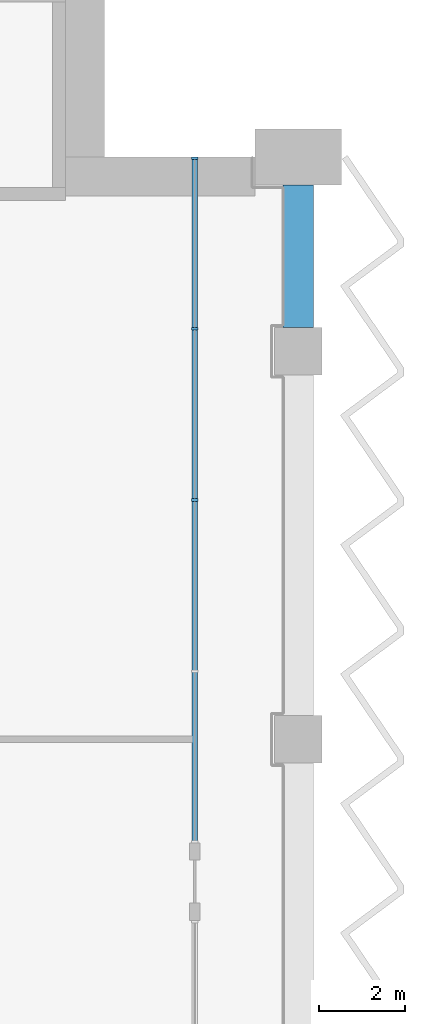
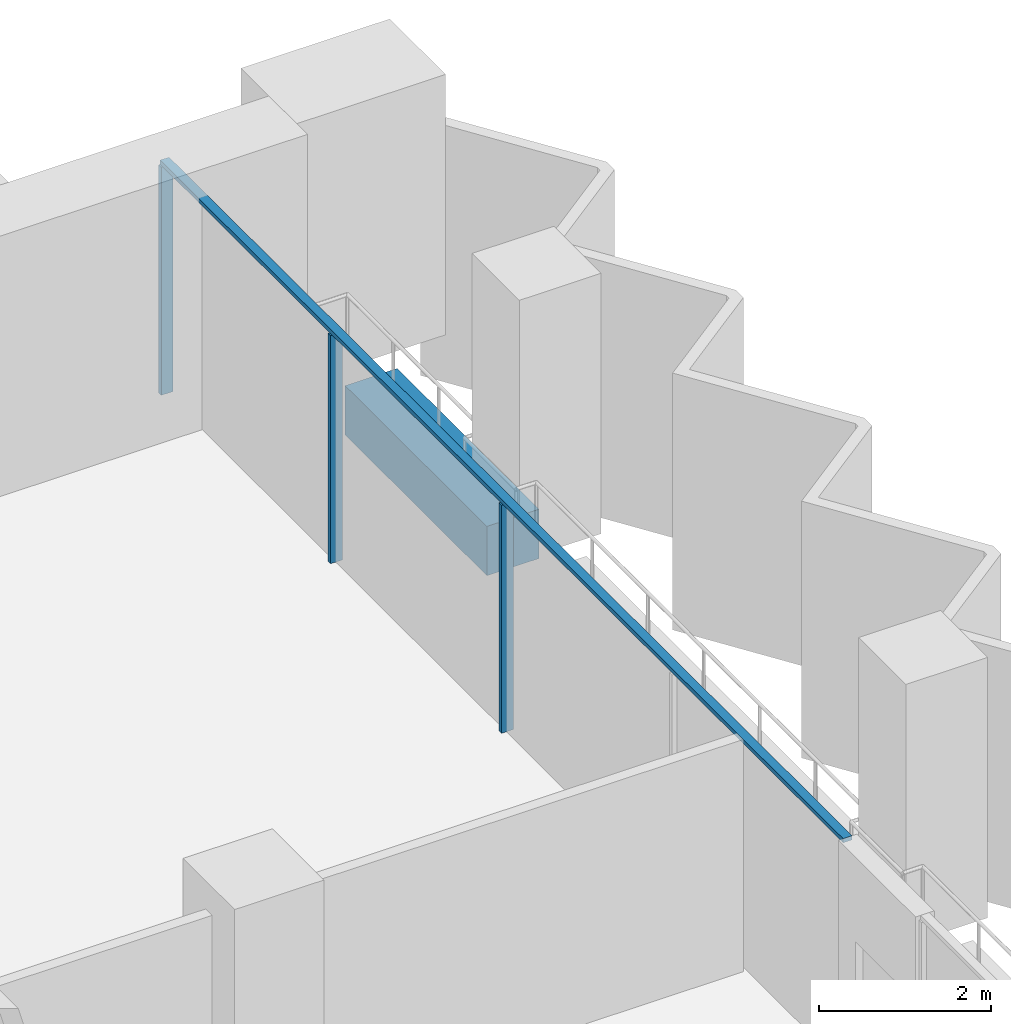
# One storey, part 7 of 23: 4 members, 1 beam, 1 element without a shape of its own.
"""IFC4 building model written with IfcOpenShell, lengths in metres."""

from ifc_helpers import new_model, si_unit, direction, frame, origin, origin_2d, place, context, subcontext, project, spatial, rectangle, extrude, material, material_profile, profile_set, type_object, element, aggregate, save


model = new_model("IFC4")

# Units and contexts
model_context = context("Model", 3, precision=1e-05, world=origin(), true_north=direction((0.0, 1.0)))
body_context = subcontext(model_context, "Body", "Model", "MODEL_VIEW")
ifc_project = project(units=[si_unit("LENGTHUNIT", "METRE"), si_unit("AREAUNIT", "SQUARE_METRE"), si_unit("VOLUMEUNIT", "CUBIC_METRE"), si_unit("PLANEANGLEUNIT", "RADIAN"), si_unit("MASSUNIT", "GRAM", prefix="KILO")], contexts=[model_context])

# Site, building, storey
site_placement = place(None, origin())
site = spatial("IfcSite", under=ifc_project, at=site_placement, CompositionType="ELEMENT")
building_placement = place(site_placement, origin())
building = spatial("IfcBuilding", under=site, at=building_placement, Name="Hunhe Ridgeline Campus", CompositionType="ELEMENT")
storey_placement = place(building_placement, frame((0.0, 0.0, 167.10009765625)))
storey = spatial("IfcBuildingStorey", under=building, at=storey_placement, Name="L42", CompositionType="ELEMENT", Elevation=167.10009765625)

# Curtain wall, members
ifc_material_1 = material(Name="Aluminium 6063", Category="aluminium")
curtain_wall_type = type_object("IfcCurtainWallType", Name="Curtain wall CW-1", PredefinedType="NOTDEFINED", material=ifc_material_1)
curtain_wall_placement = place(storey_placement, origin())
curtain_wall = element("IfcCurtainWall", 1, at=curtain_wall_placement, inside=storey, type_object=curtain_wall_type, Name="Curtain wall 15", PredefinedType="NOTDEFINED")
ifc_material_profile_1 = material_profile(ifc_material_1, rectangle(XDim=0.159912109375, YDim=0.06005859375, at=origin_2d()))
ifc_profile_set_1 = profile_set([ifc_material_profile_1], Name="Aluminium 6063")
member_type_1 = type_object("IfcMemberType", Name="CW-1 aluminium mullion", PredefinedType="MULLION", material=ifc_profile_set_1)
member_1_placement = place(storey_placement, frame((60.59912109375, 86.55029296875, 0.0), z_axis=(0.0, 0.0, 1.0), x_axis=(-1.0, 0.0, 0.0)))
member_1 = element("IfcMember", 2, at=member_1_placement, type_object=member_type_1, Name="CW-1 mullion 3", PredefinedType="MULLION", context=body_context, shape_type="SweptSolid", body=[
    extrude(rectangle(XDim=0.159912109375, YDim=0.06005859375, at=origin_2d()), origin(), (0.0, 0.0, 1.0), 3.239990234375),
])
member_2_placement = place(storey_placement, frame((60.59912109375, 90.525146484375, 0.0), z_axis=(0.0, 0.0, 1.0), x_axis=(-1.0, 0.0, 0.0)))
member_2 = element("IfcMember", 3, at=member_2_placement, type_object=member_type_1, Name="CW-1 mullion 4", PredefinedType="MULLION", context=body_context, shape_type="SweptSolid", body=[
    extrude(rectangle(XDim=0.159912109375, YDim=0.06005859375, at=origin_2d()), origin(), (0.0, 0.0, 1.0), 3.239990234375),
])
member_3_placement = place(storey_placement, frame((60.59912109375, 94.469970703125, 0.0), z_axis=(0.0, 0.0, 1.0), x_axis=(-1.0, 0.0, 0.0)))
member_3 = element("IfcMember", 4, at=member_3_placement, type_object=member_type_1, Name="CW-1 mullion 5", PredefinedType="MULLION", context=body_context, shape_type="SweptSolid", body=[
    extrude(rectangle(XDim=0.159912109375, YDim=0.06005859375, at=origin_2d()), origin(), (0.0, 0.0, 1.0), 3.239990234375),
])
ifc_material_profile_2 = material_profile(ifc_material_1, rectangle(XDim=0.1201171875, YDim=0.06005859375, at=origin_2d()))
ifc_profile_set_2 = profile_set([ifc_material_profile_2], Name="Aluminium 6063")
member_type_2 = type_object("IfcMemberType", Name="CW-1 aluminium transom", PredefinedType="USERDEFINED", material=ifc_profile_set_2)
member_4_placement = place(storey_placement, frame((60.59912109375, 78.6005859375, 3.27001953125), z_axis=(0.0, 1.0, 0.0), x_axis=(-1.0, 0.0, 0.0)))
member_4 = element("IfcMember", 5, at=member_4_placement, type_object=member_type_2, Name="CW-1 transom 1", ObjectType="TRANSOM", PredefinedType="USERDEFINED", context=body_context, shape_type="SweptSolid", body=[
    extrude(rectangle(XDim=0.1201171875, YDim=0.06005859375, at=origin_2d()), origin(), (0.0, 0.0, 1.0), 15.8994140625),
])
aggregate(curtain_wall, [member_4, member_1, member_2, member_3])

# Beam
ifc_material_2 = material(Name="Concrete C60", Category="concrete")
ifc_material_profile_3 = material_profile(ifc_material_2, rectangle(XDim=0.699951171875, YDim=0.699951171875, at=origin_2d()))
ifc_profile_set_3 = profile_set([ifc_material_profile_3], Name="Concrete C60")
beam_type = type_object("IfcBeamType", Name="RC spandrel beam 700x700 Concrete C60", PredefinedType="SPANDREL", material=ifc_profile_set_3)
beam_placement = place(storey_placement, frame((63.0, 90.550048828125, -0.60009765625), z_axis=(0.0, 1.0, 0.0), x_axis=(-1.0, 0.0, 0.0)))
element("IfcBeam", 6, at=beam_placement, inside=storey, type_object=beam_type, Name="Spandrel beam B2-20 L42", PredefinedType="SPANDREL", context=body_context, shape_type="SweptSolid", body=[
    extrude(rectangle(XDim=0.699951171875, YDim=0.699951171875, at=origin_2d()), origin(), (0.0, 0.0, 1.0), 3.300048828125),
])

save(model, "model.ifc")
